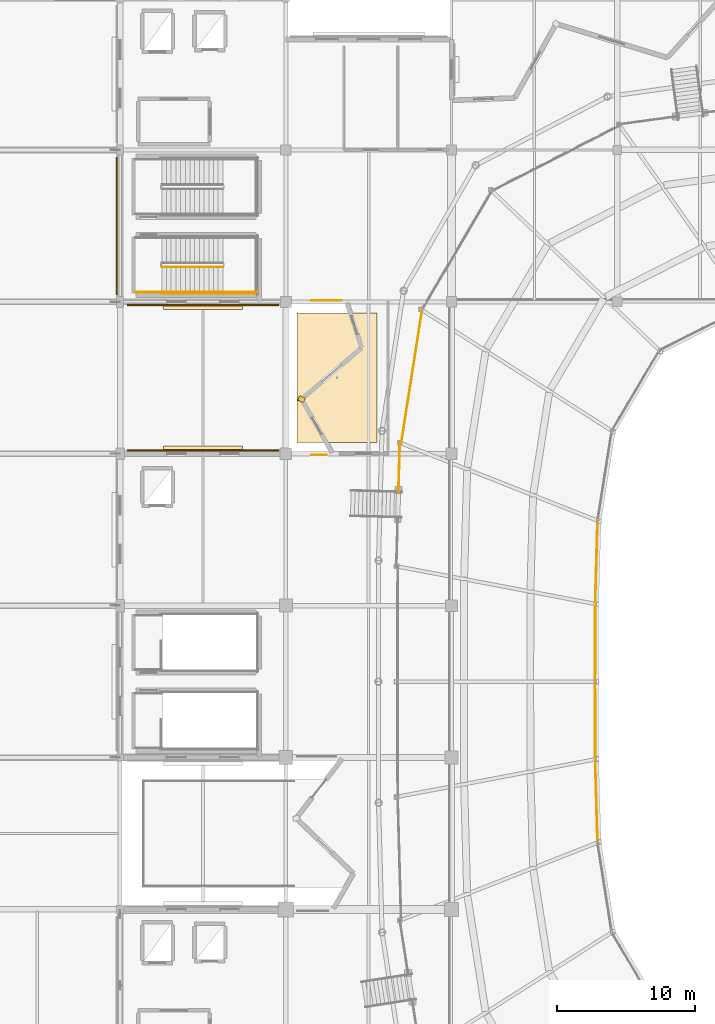
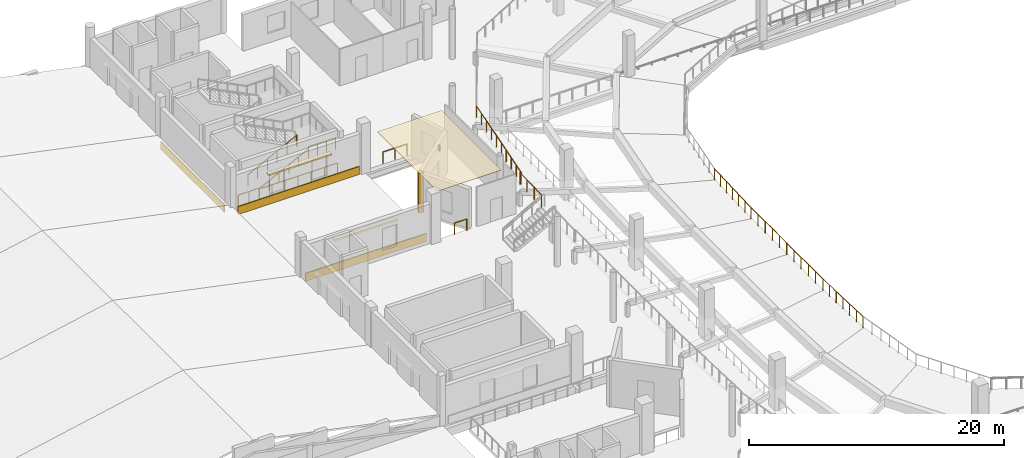
# One storey, part 69 of 77: 13 railings, 7 coverings.
"""IFC4 building model written with IfcOpenShell, lengths in metres."""

from ifc_helpers import new_model, si_unit, direction, frame, origin, origin_2d, place, context, subcontext, project, spatial, polyline, rectangle, circle, outline, extrude, material, layer, layer_set, type_object, element, save


model = new_model("IFC4")

# Units and contexts
model_context = context("Model", 3, precision=1e-05, world=origin(), true_north=direction((0.0, 1.0)))
body_context = subcontext(model_context, "Body", "Model", "MODEL_VIEW")
ifc_project = project(units=[si_unit("LENGTHUNIT", "METRE"), si_unit("AREAUNIT", "SQUARE_METRE"), si_unit("VOLUMEUNIT", "CUBIC_METRE"), si_unit("PLANEANGLEUNIT", "RADIAN"), si_unit("MASSUNIT", "GRAM", prefix="KILO")], contexts=[model_context])

# Site, building, storey
site_placement = place(None, origin())
site = spatial("IfcSite", under=ifc_project, at=site_placement, CompositionType="ELEMENT")
building_placement = place(site_placement, origin())
building = spatial("IfcBuilding", under=site, at=building_placement, Name="Luwafu Chhajja Arena", CompositionType="ELEMENT")
storey_placement = place(building_placement, frame((0.0, 0.0, 14.699951171875)))
storey = spatial("IfcBuildingStorey", under=building, at=storey_placement, Name="L03", CompositionType="ELEMENT", Elevation=14.699951171875)

# Railing
ifc_material_1 = material(Name="Stainless steel balustrade", Category="steel")
railing_type_1 = type_object("IfcRailingType", Name="Atrium Void Glazed Balustrade 1150", PredefinedType="BALUSTRADE", material=ifc_material_1)
railing_1_placement = place(storey_placement, frame((54.161865234375, 63.243896484375, 2.030029296875)))
element("IfcRailing", 1, at=railing_1_placement, inside=storey, type_object=railing_type_1, Name="L03 Vomitory VM-12 Wing Guard R", PredefinedType="BALUSTRADE", context=body_context, shape_type="SweptSolid", body=[
    extrude(circle(Radius=0.02392578125, at=origin_2d()), frame((0.0, 0.0, 1.1259765625), z_axis=(0.027753719723, 0.999614791328, 0.0), x_axis=(-0.999614791328, 0.027753719723, 0.0)), (0.0, 0.0, 1.0), 3.553955078125),
    extrude(circle(Radius=0.02099609375, at=origin_2d()), origin(), (0.0, 0.0, 1.0), 1.101806640625),
    extrude(circle(Radius=0.02099609375, at=origin_2d()), frame((0.032958984375, 1.18408203125, 0.0)), (0.0, 0.0, 1.0), 1.101806640625),
    extrude(circle(Radius=0.02099609375, at=origin_2d()), frame((0.065673828125, 2.368408203125, 0.0)), (0.0, 0.0, 1.0), 1.101806640625),
    extrude(circle(Radius=0.02099609375, at=origin_2d()), frame((0.0986328125, 3.552490234375, 0.0)), (0.0, 0.0, 1.0), 1.101806640625),
])

# Coverings
ifc_material_2 = material(Name="Red laterite sandstone cladding", Category="masonry")
ifc_layer_1 = layer(ifc_material_2, 0.074951171875, Name="Red laterite sandstone cladding")
ifc_layer_set_1 = layer_set([ifc_layer_1], Name="Red laterite sandstone cladding")
covering_type_1 = type_object("IfcCoveringType", Name="Dressed Red-Laterite Sandstone Cladding", PredefinedType="CLADDING", material=ifc_layer_set_1)
covering_1_placement = place(storey_placement, frame((47.13720703125, 69.955322265625, 0.0), z_axis=(0.0, 0.0, 1.0), x_axis=(-0.930258694901, 0.366904293461, 0.0)))
element("IfcCovering", 2, at=covering_1_placement, inside=storey, type_object=covering_type_1, Name="L03 Pleated Bowl Sandstone Ridge Fin 15", PredefinedType="CLADDING", context=body_context, shape_type="SweptSolid", body=[
    extrude(rectangle(XDim=0.4599609375, YDim=0.360107421875, at=origin_2d()), origin(), (0.0, 0.0, 1.0), 3.77783203125),
])
covering_2_placement = place(storey_placement, frame((40.0, 66.23193359375, 0.0), z_axis=(0.0, 0.0, 1.0), x_axis=(1.0, 0.0, 0.0)))
element("IfcCovering", 3, at=covering_2_placement, inside=storey, type_object=covering_type_1, Name="L03 Red-Laterite Sandstone Plinth Cladding 080", PredefinedType="CLADDING", context=body_context, shape_type="SweptSolid", body=[
    extrude(rectangle(XDim=10.9599609375, YDim=0.0849609375, at=origin_2d()), origin(), (0.0, 0.0, 1.0), 0.760009765625),
])
covering_3_placement = place(storey_placement, frame((40.0, 66.360107421875, 2.93017578125), z_axis=(0.0, 0.0, 1.0), x_axis=(1.0, 0.0, 0.0)))
element("IfcCovering", 4, at=covering_3_placement, inside=storey, type_object=covering_type_1, Name="L03 Mughal Sandstone Window Chhajja Hood 0075", PredefinedType="CLADDING", context=body_context, shape_type="SweptSolid", body=[
    extrude(rectangle(XDim=5.703369140625, YDim=0.419921875, at=origin_2d()), origin(), (0.0, 0.0, 1.0), 0.139892578125),
])
covering_4_placement = place(storey_placement, frame((40.0, 76.76806640625, 0.0), z_axis=(0.0, 0.0, 1.0), x_axis=(1.0, 0.0, 0.0)))
element("IfcCovering", 5, at=covering_4_placement, inside=storey, type_object=covering_type_1, Name="L03 Red-Laterite Sandstone Plinth Cladding 082", PredefinedType="CLADDING", context=body_context, shape_type="SweptSolid", body=[
    extrude(rectangle(XDim=10.9599609375, YDim=0.0849609375, at=origin_2d()), origin(), (0.0, 0.0, 1.0), 0.760009765625),
])
covering_5_placement = place(storey_placement, frame((40.0, 76.639892578125, 2.93017578125), z_axis=(0.0, 0.0, 1.0), x_axis=(1.0, 0.0, 0.0)))
element("IfcCovering", 6, at=covering_5_placement, inside=storey, type_object=covering_type_1, Name="L03 Mughal Sandstone Window Chhajja Hood 0077", PredefinedType="CLADDING", context=body_context, shape_type="SweptSolid", body=[
    extrude(rectangle(XDim=5.703369140625, YDim=0.419921875, at=origin_2d()), origin(), (0.0, 0.0, 1.0), 0.139892578125),
])
covering_6_placement = place(storey_placement, frame((33.76806640625, 82.5, 0.0), z_axis=(0.0, 0.0, 1.0), x_axis=(0.0, 1.0, 0.0)))
element("IfcCovering", 7, at=covering_6_placement, inside=storey, type_object=covering_type_1, Name="L03 Red-Laterite Sandstone Plinth Cladding 083", PredefinedType="CLADDING", context=body_context, shape_type="SweptSolid", body=[
    extrude(rectangle(XDim=9.9599609375, YDim=0.0849609375, at=origin_2d()), origin(), (0.0, 0.0, 1.0), 0.760009765625),
])
ifc_material_3 = material(Name="Acoustic gypsum ceiling board")
ifc_layer_2 = layer(ifc_material_3, 0.0400390625, Name="Acoustic gypsum ceiling board")
ifc_layer_set_2 = layer_set([ifc_layer_2], Name="Acoustic gypsum ceiling board")
covering_type_2 = type_object("IfcCoveringType", Name="Perforated Acoustic Baffle Ceiling", PredefinedType="CEILING", material=ifc_layer_set_2)
covering_7_placement = place(storey_placement, frame((0.0, 0.0, 3.916015625)))
element("IfcCovering", 8, at=covering_7_placement, inside=storey, type_object=covering_type_2, Name="L03 Acoustic Baffle Ceiling 047", PredefinedType="CEILING", context=body_context, shape_type="SweptSolid", body=[
    extrude(outline(polyline([(46.800048828125, 66.800048828125), (52.60009765625, 66.800048828125), (52.60009765625, 76.199951171875), (46.800048828125, 76.199951171875), (46.800048828125, 66.800048828125)])), origin(), (0.0, 0.0, 1.0), 0.0400390625),
])

# Railings
railing_type_2 = type_object("IfcRailingType", Name="Seating Bowl Sightline Barrier 1100", PredefinedType="BALUSTRADE", material=ifc_material_1)
railing_2_placement = place(storey_placement, frame((55.868896484375, 76.393798828125, 2.030029296875)))
element("IfcRailing", 9, at=railing_2_placement, inside=storey, type_object=railing_type_2, Name="L03 Upper Tier Rear Barrier 0097", PredefinedType="BALUSTRADE", context=body_context, shape_type="SweptSolid", body=[
    extrude(circle(Radius=0.02392578125, at=origin_2d()), frame((0.0, 0.0, 1.09619140625), z_axis=(-0.154676116933, -0.9879652316, 0.0), x_axis=(0.9879652316, -0.154676116933, 0.0)), (0.0, 0.0, 1.0), 9.756103515625),
    extrude(circle(Radius=0.02099609375, at=origin_2d()), origin(), (0.0, 0.0, 1.0), 1.072021484375),
    extrude(circle(Radius=0.02099609375, at=origin_2d()), frame((-0.167724609375, -1.071044921875, 0.0)), (0.0, 0.0, 1.0), 1.072021484375),
    extrude(circle(Radius=0.02099609375, at=origin_2d()), frame((-0.33544921875, -2.141845703125, 0.0)), (0.0, 0.0, 1.0), 1.072021484375),
    extrude(circle(Radius=0.02099609375, at=origin_2d()), frame((-0.5029296875, -3.212890625, 0.0)), (0.0, 0.0, 1.0), 1.072021484375),
    extrude(circle(Radius=0.02099609375, at=origin_2d()), frame((-0.670654296875, -4.283935546875, 0.0)), (0.0, 0.0, 1.0), 1.072021484375),
    extrude(circle(Radius=0.02099609375, at=origin_2d()), frame((-0.83837890625, -5.354736328125, 0.0)), (0.0, 0.0, 1.0), 1.072021484375),
    extrude(circle(Radius=0.02099609375, at=origin_2d()), frame((-1.006103515625, -6.42578125, 0.0)), (0.0, 0.0, 1.0), 1.072021484375),
    extrude(circle(Radius=0.02099609375, at=origin_2d()), frame((-1.173583984375, -7.496826171875, 0.0)), (0.0, 0.0, 1.0), 1.072021484375),
    extrude(circle(Radius=0.02099609375, at=origin_2d()), frame((-1.34130859375, -8.567626953125, 0.0)), (0.0, 0.0, 1.0), 1.072021484375),
    extrude(circle(Radius=0.02099609375, at=origin_2d()), frame((-1.509033203125, -9.638671875, 0.0)), (0.0, 0.0, 1.0), 1.072021484375),
])
railing_3_placement = place(storey_placement, frame((68.5771484375, 61.154296875, 0.830078125)))
element("IfcRailing", 10, at=railing_3_placement, inside=storey, type_object=railing_type_2, Name="L03 Upper Tier Front Barrier 0099", PredefinedType="BALUSTRADE", context=body_context, shape_type="SweptSolid", body=[
    extrude(circle(Radius=0.02392578125, at=origin_2d()), frame((0.0, 0.0, 1.09619140625), z_axis=(-0.02802220993, -0.999607300769, 0.0), x_axis=(0.999607300769, -0.02802220993, 0.0)), (0.0, 0.0, 1.0), 6.029052734375),
    extrude(circle(Radius=0.02099609375, at=origin_2d()), origin(), (0.0, 0.0, 1.0), 1.072021484375),
    extrude(circle(Radius=0.02099609375, at=origin_2d()), frame((-0.028076171875, -1.00439453125, 0.0)), (0.0, 0.0, 1.0), 1.072021484375),
    extrude(circle(Radius=0.02099609375, at=origin_2d()), frame((-0.056396484375, -2.0087890625, 0.0)), (0.0, 0.0, 1.0), 1.072021484375),
    extrude(circle(Radius=0.02099609375, at=origin_2d()), frame((-0.08447265625, -3.01318359375, 0.0)), (0.0, 0.0, 1.0), 1.072021484375),
    extrude(circle(Radius=0.02099609375, at=origin_2d()), frame((-0.112548828125, -4.017822265625, 0.0)), (0.0, 0.0, 1.0), 1.072021484375),
    extrude(circle(Radius=0.02099609375, at=origin_2d()), frame((-0.140869140625, -5.022216796875, 0.0)), (0.0, 0.0, 1.0), 1.072021484375),
    extrude(circle(Radius=0.02099609375, at=origin_2d()), frame((-0.1689453125, -6.026611328125, 0.0)), (0.0, 0.0, 1.0), 1.072021484375),
])
railing_4_placement = place(storey_placement, frame((68.408203125, 55.127685546875, 0.830078125)))
element("IfcRailing", 11, at=railing_4_placement, inside=storey, type_object=railing_type_2, Name="L03 Upper Tier Front Barrier 0101", PredefinedType="BALUSTRADE", context=body_context, shape_type="SweptSolid", body=[
    extrude(circle(Radius=0.02392578125, at=origin_2d()), frame((0.0, 0.0, 1.09619140625), z_axis=(-0.001474988635, -0.999998912204, 0.0), x_axis=(0.999998912204, -0.001474988635, 0.0)), (0.0, 0.0, 1.0), 5.627685546875),
    extrude(circle(Radius=0.02099609375, at=origin_2d()), origin(), (0.0, 0.0, 1.0), 1.072021484375),
    extrude(circle(Radius=0.02099609375, at=origin_2d()), frame((-0.001708984375, -1.12548828125, 0.0)), (0.0, 0.0, 1.0), 1.072021484375),
    extrude(circle(Radius=0.02099609375, at=origin_2d()), frame((-0.00341796875, -2.2509765625, 0.0)), (0.0, 0.0, 1.0), 1.072021484375),
    extrude(circle(Radius=0.02099609375, at=origin_2d()), frame((-0.0048828125, -3.376708984375, 0.0)), (0.0, 0.0, 1.0), 1.072021484375),
    extrude(circle(Radius=0.02099609375, at=origin_2d()), frame((-0.006591796875, -4.502197265625, 0.0)), (0.0, 0.0, 1.0), 1.072021484375),
    extrude(circle(Radius=0.02099609375, at=origin_2d()), frame((-0.00830078125, -5.627685546875, 0.0)), (0.0, 0.0, 1.0), 1.072021484375),
])
railing_5_placement = place(storey_placement, frame((68.39990234375, 49.5, 0.830078125)))
element("IfcRailing", 12, at=railing_5_placement, inside=storey, type_object=railing_type_2, Name="L03 Upper Tier Front Barrier 0105", PredefinedType="BALUSTRADE", context=body_context, shape_type="SweptSolid", body=[
    extrude(circle(Radius=0.02392578125, at=origin_2d()), frame((0.0, 0.0, 1.09619140625), z_axis=(0.001474988635, -0.999998912204, 0.0), x_axis=(0.999998912204, 0.001474988635, 0.0)), (0.0, 0.0, 1.0), 5.627685546875),
    extrude(circle(Radius=0.02099609375, at=origin_2d()), origin(), (0.0, 0.0, 1.0), 1.072021484375),
    extrude(circle(Radius=0.02099609375, at=origin_2d()), frame((0.001708984375, -1.12548828125, 0.0)), (0.0, 0.0, 1.0), 1.072021484375),
    extrude(circle(Radius=0.02099609375, at=origin_2d()), frame((0.00341796875, -2.2509765625, 0.0)), (0.0, 0.0, 1.0), 1.072021484375),
    extrude(circle(Radius=0.02099609375, at=origin_2d()), frame((0.0048828125, -3.376708984375, 0.0)), (0.0, 0.0, 1.0), 1.072021484375),
    extrude(circle(Radius=0.02099609375, at=origin_2d()), frame((0.006591796875, -4.502197265625, 0.0)), (0.0, 0.0, 1.0), 1.072021484375),
    extrude(circle(Radius=0.02099609375, at=origin_2d()), frame((0.00830078125, -5.627685546875, 0.0)), (0.0, 0.0, 1.0), 1.072021484375),
])
railing_6_placement = place(storey_placement, frame((68.408203125, 43.872314453125, 0.830078125)))
element("IfcRailing", 13, at=railing_6_placement, inside=storey, type_object=railing_type_2, Name="L03 Upper Tier Front Barrier 0109", PredefinedType="BALUSTRADE", context=body_context, shape_type="SweptSolid", body=[
    extrude(circle(Radius=0.02392578125, at=origin_2d()), frame((0.0, 0.0, 1.09619140625), z_axis=(0.02802220993, -0.999607300769, 0.0), x_axis=(0.999607300769, 0.02802220993, 0.0)), (0.0, 0.0, 1.0), 6.029052734375),
    extrude(circle(Radius=0.02099609375, at=origin_2d()), origin(), (0.0, 0.0, 1.0), 1.072021484375),
    extrude(circle(Radius=0.02099609375, at=origin_2d()), frame((0.028076171875, -1.00439453125, 0.0)), (0.0, 0.0, 1.0), 1.072021484375),
    extrude(circle(Radius=0.02099609375, at=origin_2d()), frame((0.056396484375, -2.0087890625, 0.0)), (0.0, 0.0, 1.0), 1.072021484375),
    extrude(circle(Radius=0.02099609375, at=origin_2d()), frame((0.08447265625, -3.01318359375, 0.0)), (0.0, 0.0, 1.0), 1.072021484375),
    extrude(circle(Radius=0.02099609375, at=origin_2d()), frame((0.112548828125, -4.017822265625, 0.0)), (0.0, 0.0, 1.0), 1.072021484375),
    extrude(circle(Radius=0.02099609375, at=origin_2d()), frame((0.140869140625, -5.022216796875, 0.0)), (0.0, 0.0, 1.0), 1.072021484375),
    extrude(circle(Radius=0.02099609375, at=origin_2d()), frame((0.1689453125, -6.026611328125, 0.0)), (0.0, 0.0, 1.0), 1.072021484375),
])
ifc_material_4 = material(Name="Stainless steel handrail", Category="steel")
railing_type_3 = type_object("IfcRailingType", Name="Stair Pitch Wall Handrail 920", PredefinedType="HANDRAIL", material=ifc_material_4)
railing_7_placement = place(storey_placement, frame((37.02001953125, 77.699951171875, 0.17138671875)))
element("IfcRailing", 14, at=railing_7_placement, inside=storey, type_object=railing_type_3, Name="L03 ST-05 stair handrail 1", PredefinedType="HANDRAIL", context=body_context, shape_type="SweptSolid", body=[
    extrude(circle(Radius=0.02392578125, at=origin_2d()), frame((0.0, 0.0, 0.8759765625), z_axis=(0.892902951771, 0.0, 0.450249174034), x_axis=(0.0, 1.0, 0.0)), (0.0, 0.0, 1.0), 4.949951171875),
    extrude(circle(Radius=0.02099609375, at=origin_2d()), origin(), (0.0, 0.0, 1.0), 0.851806640625),
    extrude(circle(Radius=0.02099609375, at=origin_2d()), frame((0.884033203125, 0.0, 0.44580078125)), (0.0, 0.0, 1.0), 0.851806640625),
    extrude(circle(Radius=0.02099609375, at=origin_2d()), frame((1.76806640625, 0.0, 0.8916015625)), (0.0, 0.0, 1.0), 0.851806640625),
    extrude(circle(Radius=0.02099609375, at=origin_2d()), frame((2.65185546875, 0.0, 1.337158203125)), (0.0, 0.0, 1.0), 0.851806640625),
    extrude(circle(Radius=0.02099609375, at=origin_2d()), frame((3.535888671875, 0.0, 1.782958984375)), (0.0, 0.0, 1.0), 0.851806640625),
    extrude(circle(Radius=0.02099609375, at=origin_2d()), frame((4.419921875, 0.0, 2.228759765625)), (0.0, 0.0, 1.0), 0.851806640625),
])
railing_type_4 = type_object("IfcRailingType", Name="Stair and Terrace Guard Balustrade 1100", PredefinedType="BALUSTRADE", material=ifc_material_1)
railing_8_placement = place(storey_placement, frame((37.02001953125, 79.52001953125, 0.17138671875)))
element("IfcRailing", 15, at=railing_8_placement, inside=storey, type_object=railing_type_4, Name="L03 ST-05 stair guard 1", PredefinedType="BALUSTRADE", context=body_context, shape_type="SweptSolid", body=[
    extrude(circle(Radius=0.02392578125, at=origin_2d()), frame((0.0, 0.0, 1.076171875), z_axis=(0.892902951771, 0.0, 0.450249174034), x_axis=(0.0, 1.0, 0.0)), (0.0, 0.0, 1.0), 4.949951171875),
    extrude(circle(Radius=0.02099609375, at=origin_2d()), origin(), (0.0, 0.0, 1.0), 1.052001953125),
    extrude(circle(Radius=0.02099609375, at=origin_2d()), frame((0.884033203125, 0.0, 0.44580078125)), (0.0, 0.0, 1.0), 1.052001953125),
    extrude(circle(Radius=0.02099609375, at=origin_2d()), frame((1.76806640625, 0.0, 0.8916015625)), (0.0, 0.0, 1.0), 1.052001953125),
    extrude(circle(Radius=0.02099609375, at=origin_2d()), frame((2.65185546875, 0.0, 1.337158203125)), (0.0, 0.0, 1.0), 1.052001953125),
    extrude(circle(Radius=0.02099609375, at=origin_2d()), frame((3.535888671875, 0.0, 1.782958984375)), (0.0, 0.0, 1.0), 1.052001953125),
    extrude(circle(Radius=0.02099609375, at=origin_2d()), frame((4.419921875, 0.0, 2.228759765625)), (0.0, 0.0, 1.0), 1.052001953125),
])
railing_9_placement = place(storey_placement, frame((41.43994140625, 77.699951171875, 2.400146484375)))
element("IfcRailing", 16, at=railing_9_placement, inside=storey, type_object=railing_type_4, Name="L03 ST-05 stair guard 3", PredefinedType="BALUSTRADE", context=body_context, shape_type="SweptSolid", body=[
    extrude(circle(Radius=0.02392578125, at=origin_2d()), frame((0.0, 0.0, 1.076171875), z_axis=(1.0, 0.0, 0.0), x_axis=(0.0, 1.0, 0.0)), (0.0, 0.0, 1.0), 2.4599609375),
    extrude(circle(Radius=0.02099609375, at=origin_2d()), origin(), (0.0, 0.0, 1.0), 1.052001953125),
    extrude(circle(Radius=0.02099609375, at=origin_2d()), frame((0.820068359375, 0.0, 0.0)), (0.0, 0.0, 1.0), 1.052001953125),
    extrude(circle(Radius=0.02099609375, at=origin_2d()), frame((1.639892578125, 0.0, 0.0)), (0.0, 0.0, 1.0), 1.052001953125),
    extrude(circle(Radius=0.02099609375, at=origin_2d()), frame((2.4599609375, 0.0, 0.0)), (0.0, 0.0, 1.0), 1.052001953125),
])
railing_10_placement = place(storey_placement, frame((35.10009765625, 77.699951171875, 0.0)))
element("IfcRailing", 17, at=railing_10_placement, inside=storey, type_object=railing_type_4, Name="L03 ST-05 stair guard 8", PredefinedType="BALUSTRADE", context=body_context, shape_type="SweptSolid", body=[
    extrude(circle(Radius=0.02392578125, at=origin_2d()), frame((0.0, 0.0, 1.076171875), z_axis=(1.0, 0.0, 0.0), x_axis=(0.0, 1.0, 0.0)), (0.0, 0.0, 1.0), 1.919921875),
    extrude(circle(Radius=0.02099609375, at=origin_2d()), origin(), (0.0, 0.0, 1.0), 1.052001953125),
    extrude(circle(Radius=0.02099609375, at=origin_2d()), frame((0.9599609375, 0.0, 0.0)), (0.0, 0.0, 1.0), 1.052001953125),
    extrude(circle(Radius=0.02099609375, at=origin_2d()), frame((1.919921875, 0.0, 0.0)), (0.0, 0.0, 1.0), 1.052001953125),
])
railing_11_placement = place(storey_placement, frame((36.919921875, 77.60009765625, 0.0)))
element("IfcRailing", 18, at=railing_11_placement, inside=storey, type_object=railing_type_4, Name="L03 ST-05 stair guard 10", PredefinedType="BALUSTRADE", context=body_context, shape_type="SweptSolid", body=[
    extrude(circle(Radius=0.02392578125, at=origin_2d()), frame((0.0, 0.0, 1.076171875), z_axis=(1.0, 0.0, 0.0), x_axis=(0.0, 1.0, 0.0)), (0.0, 0.0, 1.0), 7.080078125),
    extrude(circle(Radius=0.02099609375, at=origin_2d()), origin(), (0.0, 0.0, 1.0), 1.052001953125),
    extrude(circle(Radius=0.02099609375, at=origin_2d()), frame((1.179931640625, 0.0, 0.0)), (0.0, 0.0, 1.0), 1.052001953125),
    extrude(circle(Radius=0.02099609375, at=origin_2d()), frame((2.360107421875, 0.0, 0.0)), (0.0, 0.0, 1.0), 1.052001953125),
    extrude(circle(Radius=0.02099609375, at=origin_2d()), frame((3.5400390625, 0.0, 0.0)), (0.0, 0.0, 1.0), 1.052001953125),
    extrude(circle(Radius=0.02099609375, at=origin_2d()), frame((4.719970703125, 0.0, 0.0)), (0.0, 0.0, 1.0), 1.052001953125),
    extrude(circle(Radius=0.02099609375, at=origin_2d()), frame((5.900146484375, 0.0, 0.0)), (0.0, 0.0, 1.0), 1.052001953125),
    extrude(circle(Radius=0.02099609375, at=origin_2d()), frame((7.080078125, 0.0, 0.0)), (0.0, 0.0, 1.0), 1.052001953125),
])
railing_12_placement = place(storey_placement, frame((47.843994140625, 65.89990234375, 0.0)))
element("IfcRailing", 19, at=railing_12_placement, inside=storey, type_object=railing_type_4, Name="L03 Outer Slab Edge Guard 007", PredefinedType="BALUSTRADE", context=body_context, shape_type="SweptSolid", body=[
    extrude(circle(Radius=0.02392578125, at=origin_2d()), frame((0.0, 0.0, 1.09619140625), z_axis=(1.0, 0.0, 0.0), x_axis=(0.0, 1.0, 0.0)), (0.0, 0.0, 1.0), 1.097900390625),
    extrude(circle(Radius=0.02099609375, at=origin_2d()), origin(), (0.0, 0.0, 1.0), 1.072021484375),
    extrude(circle(Radius=0.02099609375, at=origin_2d()), frame((1.097900390625, 0.0, 0.0)), (0.0, 0.0, 1.0), 1.072021484375),
])
railing_13_placement = place(storey_placement, frame((50.02587890625, 77.10009765625, 0.0)))
element("IfcRailing", 20, at=railing_13_placement, inside=storey, type_object=railing_type_4, Name="L03 Outer Slab Edge Guard 008", PredefinedType="BALUSTRADE", context=body_context, shape_type="SweptSolid", body=[
    extrude(circle(Radius=0.02392578125, at=origin_2d()), frame((0.0, 0.0, 1.09619140625), z_axis=(-1.0, 0.0, 0.0), x_axis=(0.0, -1.0, 0.0)), (0.0, 0.0, 1.0), 2.181884765625),
    extrude(circle(Radius=0.02099609375, at=origin_2d()), origin(), (0.0, 0.0, 1.0), 1.072021484375),
    extrude(circle(Radius=0.02099609375, at=origin_2d()), frame((-1.0908203125, 0.0, 0.0)), (0.0, 0.0, 1.0), 1.072021484375),
    extrude(circle(Radius=0.02099609375, at=origin_2d()), frame((-2.181884765625, 0.0, 0.0)), (0.0, 0.0, 1.0), 1.072021484375),
])

save(model, "model.ifc")
